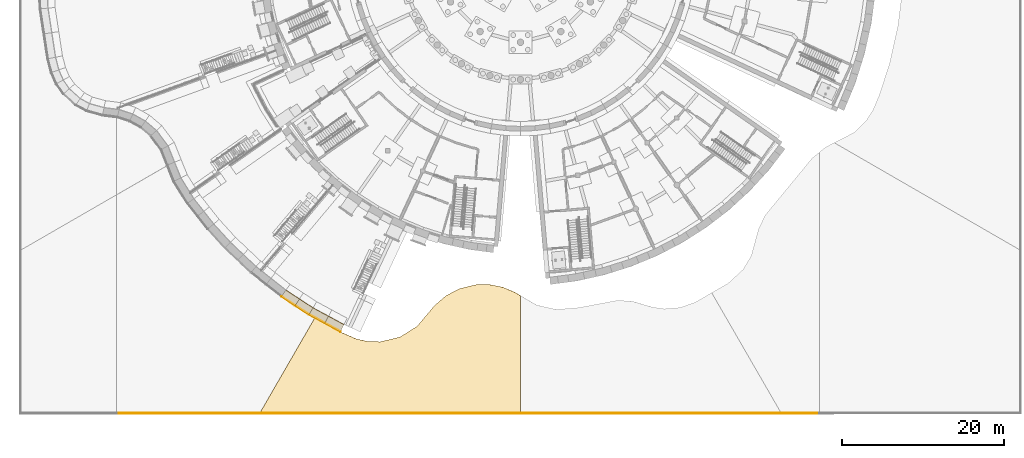
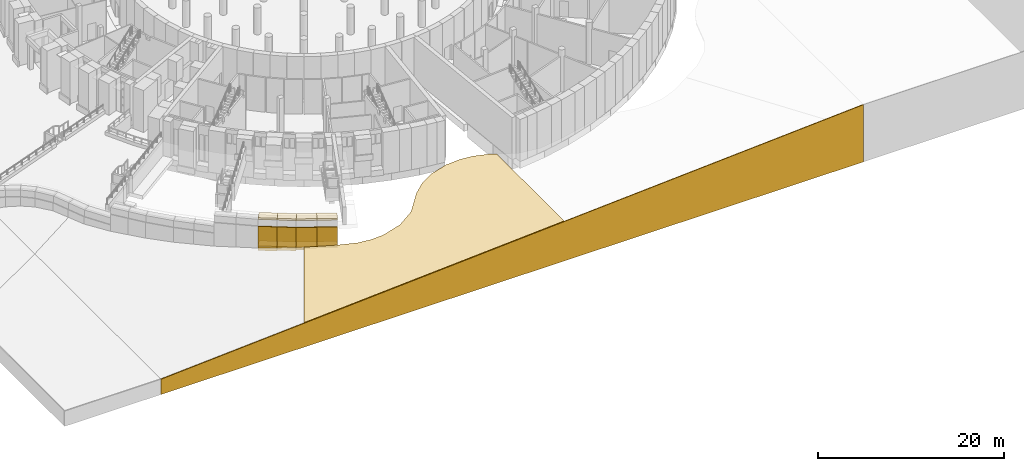
# One storey, part 52 of 65: 14 coverings.
"""IFC4 building model written with IfcOpenShell, lengths in metres."""

from ifc_helpers import new_model, si_unit, direction, frame, origin, place, context, subcontext, project, spatial, polyline, outline, extrude, material, layer, layer_set, type_object, element, save


model = new_model("IFC4")

# Units and contexts
model_context = context("Model", 3, precision=1e-05, world=origin(), true_north=direction((0.0, 1.0)))
body_context = subcontext(model_context, "Body", "Model", "MODEL_VIEW")
ifc_project = project(units=[si_unit("LENGTHUNIT", "METRE"), si_unit("AREAUNIT", "SQUARE_METRE"), si_unit("VOLUMEUNIT", "CUBIC_METRE"), si_unit("PLANEANGLEUNIT", "RADIAN"), si_unit("MASSUNIT", "GRAM", prefix="KILO")], contexts=[model_context])

# Site, building, storey
site_placement = place(None, origin())
site = spatial("IfcSite", under=ifc_project, at=site_placement, CompositionType="ELEMENT")
building_placement = place(site_placement, origin())
building = spatial("IfcBuilding", under=site, at=building_placement, Name="Volute Hill Aquarium", CompositionType="ELEMENT")
storey_placement = place(building_placement, frame((0.0, 0.0, -5.5)))
storey = spatial("IfcBuildingStorey", under=building, at=storey_placement, Name="L00", CompositionType="ELEMENT", Elevation=-5.5)

# Coverings
ifc_material_1 = material(Name="Planting soil and turf")
ifc_layer_1 = layer(ifc_material_1, 0.300048828125)
ifc_layer_set_1 = layer_set([ifc_layer_1], Name="Planted ground soil and turf build-up 300")
covering_type_1 = type_object("IfcCoveringType", Name="Planted ground soil and turf build-up 300", PredefinedType="CLADDING", material=ifc_layer_set_1)
covering_1_placement = place(storey_placement, frame((-20.299072265625, -46.718505859375, 1.877685546875), z_axis=(-0.063092909775, -8.16778e-06, 0.998007657621), x_axis=(-0.915678428044, 0.397721454546, -0.057884894471)))
element("IfcCovering", 1, at=covering_1_placement, inside=storey, type_object=covering_type_1, Name="tn/18/L00/0", PredefinedType="CLADDING", context=body_context, shape_type="SweptSolid", body=[
    extrude(outline(polyline([(0.0, 0.0), (2.1767059496879333, -2.5673907444456745e-16), (5.790797844374907, -0.3124983842877088), (7.350630239686162, 13.138979358472382), (-22.293530632196436, 0.288800625187482), (-16.527928940783244, -13.011903405453678), (-15.639103741445101, -13.11808566546062), (-14.022504890496354, -13.086274966259392), (-12.43742409466792, -12.736310611922896), (-10.948862965024839, -12.080670164908087), (-9.22592218094983, -10.783530902913547), (-8.03759304365028, -9.30915292773514), (-7.2222873068860345, -7.610906873075864), (-6.279066026847203, -4.444265875597894), (-4.862626403761084, -2.3816640444353636), (-2.8621810409669006, -0.8679067053707891), (-1.4757553803238934, -0.29645376411633617), (0.0, 0.0)])), origin(), (0.0, 0.0, -1.0), 0.300048828125),
])
ifc_material_2 = material(Name="Precast concrete C40/50", Category="concrete")
ifc_layer_2 = layer(ifc_material_2, 0.25)
ifc_layer_set_2 = layer_set([ifc_layer_2], Name="Plinth coping precast concrete C40/50 1000")
covering_type_2 = type_object("IfcCoveringType", Name="Plinth coping precast concrete C40/50 1000", PredefinedType="CLADDING", material=ifc_layer_set_2)
covering_2_placement = place(storey_placement, frame((0.0, 0.0, 4.97509765625)))
element("IfcCovering", 2, at=covering_2_placement, inside=storey, type_object=covering_type_2, Name="cp/E11FB3/L00/0", PredefinedType="CLADDING", context=body_context, shape_type="SweptSolid", body=[
    extrude(outline(polyline([(-29.60595703125, -41.450439453125), (-27.8916015625, -42.57177734375), (-27.34423828125, -41.73486328125), (-29.021484375, -40.637939453125), (-29.60595703125, -41.450439453125), (-29.60595703125, -41.450439453125)])), origin(), (0.0, 0.0, 1.0), 0.25),
])
covering_3_placement = place(storey_placement, frame((0.0, 0.0, 4.97509765625)))
element("IfcCovering", 3, at=covering_3_placement, inside=storey, type_object=covering_type_2, Name="cp/E11FB3/L00/1", PredefinedType="CLADDING", context=body_context, shape_type="SweptSolid", body=[
    extrude(outline(polyline([(-27.8916015625, -42.57177734375), (-26.178466796875, -43.6923828125), (-25.665771484375, -42.832763671875), (-25.665771484375, -42.832763671875), (-27.34423828125, -41.73486328125), (-27.8916015625, -42.57177734375)])), origin(), (0.0, 0.0, 1.0), 0.25),
])
covering_4_placement = place(storey_placement, frame((0.0, 0.0, 4.97509765625)))
element("IfcCovering", 4, at=covering_4_placement, inside=storey, type_object=covering_type_2, Name="cp/E12FB3/L00/0", PredefinedType="CLADDING", context=body_context, shape_type="SweptSolid", body=[
    extrude(outline(polyline([(-26.178466796875, -43.6923828125), (-24.224853515625, -44.75), (-23.748779296875, -43.87060546875), (-25.665771484375, -42.832763671875), (-26.178466796875, -43.6923828125), (-26.178466796875, -43.6923828125)])), origin(), (0.0, 0.0, 1.0), 0.25),
])
covering_5_placement = place(storey_placement, frame((0.0, 0.0, 4.97509765625)))
element("IfcCovering", 5, at=covering_5_placement, inside=storey, type_object=covering_type_2, Name="cp/E12FB3/L00/1", PredefinedType="CLADDING", context=body_context, shape_type="SweptSolid", body=[
    extrude(outline(polyline([(-22.270263671875, -45.807861328125), (-22.270263671875, -45.807861328125), (-21.832275390625, -44.907958984375), (-21.832275390625, -44.907958984375), (-23.748779296875, -43.87060546875), (-24.224853515625, -44.75), (-22.270263671875, -45.807861328125)])), origin(), (0.0, 0.0, 1.0), 0.25),
])
ifc_material_3 = material(Name="Precast concrete C40/50", Category="concrete")
ifc_layer_3 = layer(ifc_material_3, 0.199951171875)
ifc_layer_set_3 = layer_set([ifc_layer_3], Name="Plinth grade course precast concrete C40/50 1100")
covering_type_3 = type_object("IfcCoveringType", Name="Plinth grade course precast concrete C40/50 1100", PredefinedType="CLADDING", material=ifc_layer_set_3)
covering_6_placement = place(storey_placement, frame((0.0, 0.0, 1.375)))
element("IfcCovering", 6, at=covering_6_placement, inside=storey, type_object=covering_type_3, Name="gc/E11FB3/L00/0", PredefinedType="CLADDING", context=body_context, shape_type="SweptSolid", body=[
    extrude(outline(polyline([(-29.63525390625, -41.4912109375), (-27.9189453125, -42.61376953125), (-27.37158203125, -41.77685546875), (-29.050537109375, -40.678466796875), (-29.63525390625, -41.4912109375)])), origin(), (0.0, 0.0, 1.0), 0.199951171875),
])
covering_7_placement = place(storey_placement, frame((0.0, 0.0, 1.375)))
element("IfcCovering", 7, at=covering_7_placement, inside=storey, type_object=covering_type_3, Name="gc/E11FB3/L00/1", PredefinedType="CLADDING", context=body_context, shape_type="SweptSolid", body=[
    extrude(outline(polyline([(-27.9189453125, -42.61376953125), (-26.2041015625, -43.7353515625), (-25.69140625, -42.875732421875), (-27.37158203125, -41.77685546875), (-27.9189453125, -42.61376953125)])), origin(), (0.0, 0.0, 1.0), 0.199951171875),
])
covering_8_placement = place(storey_placement, frame((0.0, 0.0, 1.375)))
element("IfcCovering", 8, at=covering_8_placement, inside=storey, type_object=covering_type_3, Name="gc/E12FB3/L00/0", PredefinedType="CLADDING", context=body_context, shape_type="SweptSolid", body=[
    extrude(outline(polyline([(-26.2041015625, -43.7353515625), (-24.24853515625, -44.7939453125), (-23.7724609375, -43.91455078125), (-25.69140625, -42.875732421875), (-25.69140625, -42.875732421875), (-26.2041015625, -43.7353515625), (-26.2041015625, -43.7353515625)])), origin(), (0.0, 0.0, 1.0), 0.199951171875),
])
covering_9_placement = place(storey_placement, frame((0.0, 0.0, 1.375)))
element("IfcCovering", 9, at=covering_9_placement, inside=storey, type_object=covering_type_3, Name="gc/E12FB3/L00/1", PredefinedType="CLADDING", context=body_context, shape_type="SweptSolid", body=[
    extrude(outline(polyline([(-22.292236328125, -45.852783203125), (-22.292236328125, -45.852783203125), (-21.854248046875, -44.952880859375), (-21.854248046875, -44.952880859375), (-23.7724609375, -43.91455078125), (-24.24853515625, -44.7939453125), (-22.292236328125, -45.852783203125)])), origin(), (0.0, 0.0, 1.0), 0.199951171875),
])
ifc_material_4 = material(Name="Precast concrete C40/50", Category="concrete")
ifc_layer_4 = layer(ifc_material_4, 0.10009765625)
ifc_layer_set_4 = layer_set([ifc_layer_4], Name="Retained ground face precast concrete C40/50 100")
covering_type_4 = type_object("IfcCoveringType", Name="Retained ground face precast concrete C40/50 100", PredefinedType="CLADDING", material=ifc_layer_set_4)
covering_10_placement = place(storey_placement, frame((0.0, 0.0, 0.957763671875)))
element("IfcCovering", 10, at=covering_10_placement, inside=storey, type_object=covering_type_4, Name="tg/E11FB3/L00/0", PredefinedType="CLADDING", context=body_context, shape_type="SweptSolid", body=[
    extrude(outline(polyline([(-29.63525390625, -41.4912109375), (-27.9189453125, -42.61376953125), (-27.8642578125, -42.530029296875), (-29.57666015625, -41.409912109375), (-29.63525390625, -41.4912109375)])), origin(), (0.0, 0.0, 1.0), 3.167236328125),
])
covering_11_placement = place(storey_placement, frame((0.0, 0.0, 1.06494140625)))
element("IfcCovering", 11, at=covering_11_placement, inside=storey, type_object=covering_type_4, Name="tg/E11FB3/L00/1", PredefinedType="CLADDING", context=body_context, shape_type="SweptSolid", body=[
    extrude(outline(polyline([(-27.9189453125, -42.61376953125), (-26.2041015625, -43.7353515625), (-26.15283203125, -43.6494140625), (-26.15283203125, -43.6494140625), (-27.8642578125, -42.530029296875), (-27.9189453125, -42.61376953125)])), origin(), (0.0, 0.0, 1.0), 3.06005859375),
])
covering_12_placement = place(storey_placement, frame((0.0, 0.0, 1.172119140625)))
element("IfcCovering", 12, at=covering_12_placement, inside=storey, type_object=covering_type_4, Name="tg/E12FB3/L00/0", PredefinedType="CLADDING", context=body_context, shape_type="SweptSolid", body=[
    extrude(outline(polyline([(-26.2041015625, -43.7353515625), (-24.24853515625, -44.7939453125), (-24.200927734375, -44.7060546875), (-26.15283203125, -43.6494140625), (-26.2041015625, -43.7353515625), (-26.2041015625, -43.7353515625)])), origin(), (0.0, 0.0, 1.0), 2.952880859375),
])
covering_13_placement = place(storey_placement, frame((0.0, 0.0, 1.29443359375)))
element("IfcCovering", 13, at=covering_13_placement, inside=storey, type_object=covering_type_4, Name="tg/E12FB3/L00/1", PredefinedType="CLADDING", context=body_context, shape_type="SweptSolid", body=[
    extrude(outline(polyline([(-22.292236328125, -45.852783203125), (-22.292236328125, -45.852783203125), (-22.248291015625, -45.762939453125), (-22.248291015625, -45.762939453125), (-24.200927734375, -44.7060546875), (-24.24853515625, -44.7939453125), (-22.292236328125, -45.852783203125)])), origin(), (0.0, 0.0, 1.0), 2.83056640625),
])
covering_14_placement = place(storey_placement, frame((-50.0, -55.949951171875, -2.0), z_axis=(0.0, -1.0, 0.0), x_axis=(1.0, 0.0, 0.0)))
element("IfcCovering", 14, at=covering_14_placement, inside=storey, type_object=covering_type_4, Name="tf/2/L00/0", PredefinedType="CLADDING", context=body_context, shape_type="SweptSolid", body=[
    extrude(outline(polyline([(0.0, 0.0), (87.0, 0.0), (87.0, 7.5), (0.0, 2.0), (0.0, 0.0)])), origin(), (0.0, 0.0, -1.0), 0.10009765625),
])

save(model, "model.ifc")
